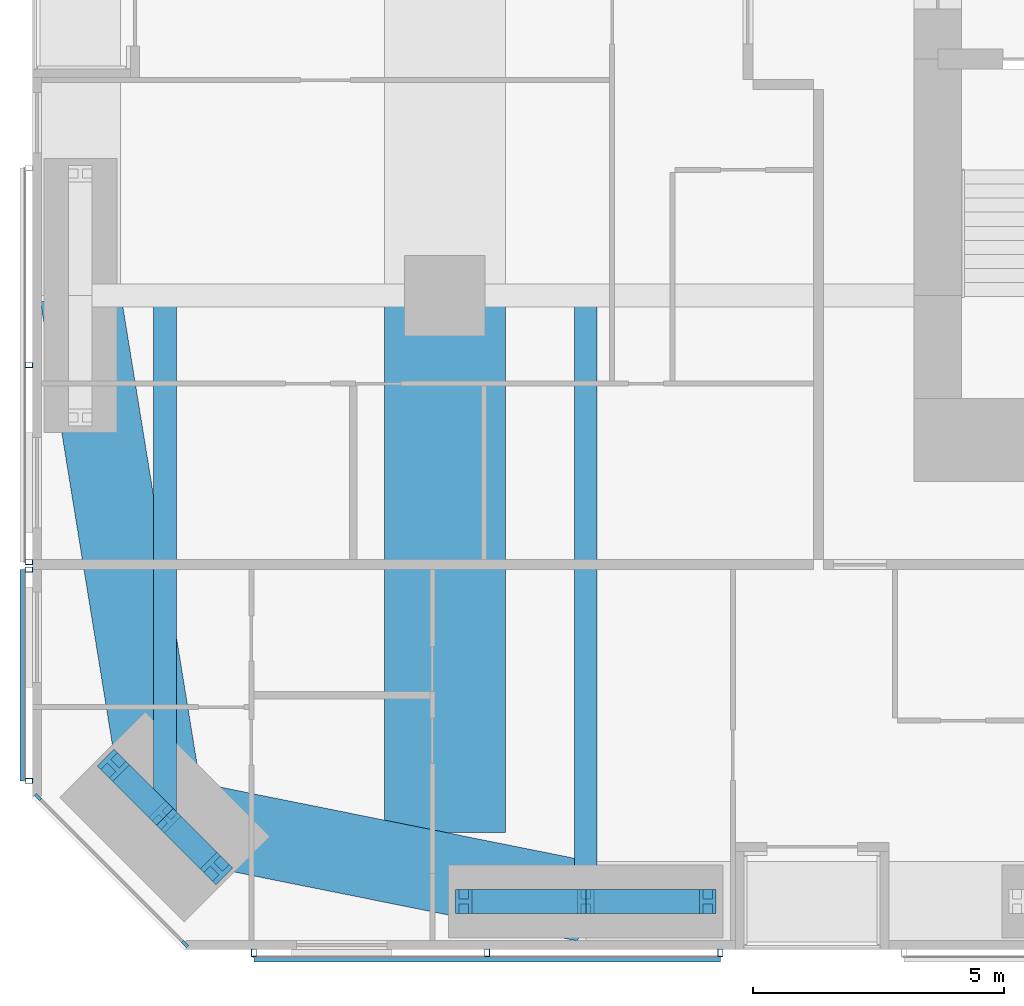
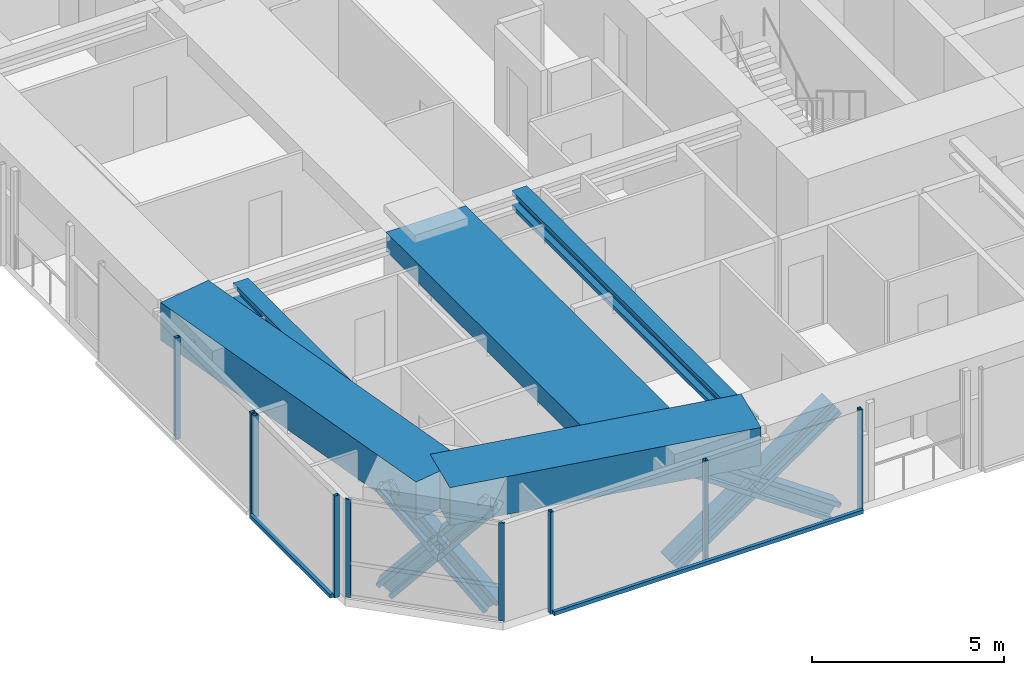
# One storey, part 2 of 23: 19 members, 5 beams, 4 elements without a shape of their own.
"""IFC4 building model written with IfcOpenShell, lengths in metres."""

from ifc_helpers import new_model, si_unit, direction, frame, origin, origin_2d, place, context, subcontext, project, spatial, rectangle, hollow_rectangle, i_section, extrude, material, material_profile, profile_set, type_object, element, aggregate, save


model = new_model("IFC4")

# Units and contexts
model_context = context("Model", 3, precision=1e-05, world=origin(), true_north=direction((0.0, 1.0)))
body_context = subcontext(model_context, "Body", "Model", "MODEL_VIEW")
ifc_project = project(units=[si_unit("LENGTHUNIT", "METRE"), si_unit("AREAUNIT", "SQUARE_METRE"), si_unit("VOLUMEUNIT", "CUBIC_METRE"), si_unit("PLANEANGLEUNIT", "RADIAN"), si_unit("MASSUNIT", "GRAM", prefix="KILO")], contexts=[model_context])

# Site, building, storey
site_placement = place(None, origin())
site = spatial("IfcSite", under=ifc_project, at=site_placement, CompositionType="ELEMENT")
building_placement = place(site_placement, origin())
building = spatial("IfcBuilding", under=site, at=building_placement, Name="Jalousie Tower", CompositionType="ELEMENT")
storey_placement = place(building_placement, frame((0.0, 0.0, 31.050048828125)))
storey = spatial("IfcBuildingStorey", under=building, at=storey_placement, Name="L07", CompositionType="ELEMENT", Elevation=31.050048828125)

# Curtain wall, members
ifc_material_1 = material(Name="Aluminium curtain wall", Category="aluminium")
curtain_wall_type_1 = type_object("IfcCurtainWallType", Name="CORNER WINDOW WALL", PredefinedType="USERDEFINED", material=ifc_material_1)
curtain_wall_1_placement = place(storey_placement, origin())
curtain_wall_1 = element("IfcCurtainWall", 1, at=curtain_wall_1_placement, inside=storey, type_object=curtain_wall_type_1, Name="Corner Window Wall L07 8", ObjectType="CORNER WINDOW WALL", PredefinedType="USERDEFINED")
ifc_material_2 = material(Name="Aluminium mullion", Category="aluminium")
ifc_material_profile_1 = material_profile(ifc_material_2, rectangle(XDim=0.06005859375, YDim=0.14990234375, at=origin_2d()), Name="MULLION 60x150")
ifc_profile_set_1 = profile_set([ifc_material_profile_1], Name="Aluminium mullion")
member_type_1 = type_object("IfcMemberType", Name="CORNER WINDOW WALL MULLION", PredefinedType="MULLION", material=ifc_profile_set_1)
member_1_placement = place(storey_placement, frame((2.108642578125, 3.030029296875, 0.0), z_axis=(0.0, 0.0, 1.0), x_axis=(0.707106781187, 0.707106781187, 0.0)))
member_1 = element("IfcMember", 2, at=member_1_placement, type_object=member_type_1, Name="CW-C mullion 1", PredefinedType="MULLION", context=body_context, shape_type="SweptSolid", body=[
    extrude(rectangle(XDim=0.06005859375, YDim=0.14990234375, at=origin_2d()), origin(), (0.0, 0.0, 1.0), 3.10986328125),
])
member_2_placement = place(storey_placement, frame((5.030029296875, 0.108642578125, 0.0), z_axis=(0.0, 0.0, 1.0), x_axis=(0.707106781187, 0.707106781187, 0.0)))
member_2 = element("IfcMember", 3, at=member_2_placement, type_object=member_type_1, Name="CW-C mullion 2", PredefinedType="MULLION", context=body_context, shape_type="SweptSolid", body=[
    extrude(rectangle(XDim=0.06005859375, YDim=0.14990234375, at=origin_2d()), origin(), (0.0, 0.0, 1.0), 3.10986328125),
])
aggregate(curtain_wall_1, [member_1, member_2])

# Beams
ifc_material_3 = material(Name="Steel ASTM A992 Grade 50", Category="steel")
ifc_material_profile_2 = material_profile(ifc_material_3, i_section(OverallWidth=0.45458984375, OverallDepth=0.569091796875, WebThickness=0.077880859375, FlangeThickness=0.124755859375, at=origin_2d()), Name="W14X730")
ifc_profile_set_2 = profile_set([ifc_material_profile_2], Name="Steel ASTM A992 Grade 50")
beam_type_1 = type_object("IfcBeamType", Name="LEAN COLLECTOR W14X730", PredefinedType="BEAM", material=ifc_profile_set_2)
beam_1_placement = place(storey_placement, frame((4.63134765625, 2.63134765625, 2.825439453125), z_axis=(0.0, 1.0, 0.0), x_axis=(-1.0, 0.0, 0.0)))
element("IfcBeam", 4, at=beam_1_placement, inside=storey, type_object=beam_type_1, Name="Lean collector under L08", PredefinedType="BEAM", context=body_context, shape_type="SweptSolid", body=[
    extrude(i_section(OverallWidth=0.45458984375, OverallDepth=0.569091796875, WebThickness=0.077880859375, FlangeThickness=0.124755859375, at=origin_2d()), origin(), (0.0, 0.0, 1.0), 10.36865234375),
])
beam_2_placement = place(storey_placement, frame((13.0, 0.949951171875, 2.825439453125), z_axis=(0.0, 1.0, 0.0), x_axis=(-1.0, 0.0, 0.0)))
element("IfcBeam", 5, at=beam_2_placement, inside=storey, type_object=beam_type_1, Name="Lean collector under L08", PredefinedType="BEAM", context=body_context, shape_type="SweptSolid", body=[
    extrude(i_section(OverallWidth=0.45458984375, OverallDepth=0.569091796875, WebThickness=0.077880859375, FlangeThickness=0.124755859375, at=origin_2d()), origin(), (0.0, 0.0, 1.0), 12.050048828125),
])

# Members
ifc_material_4 = material(Name="Steel ASTM A992 Grade 50", Category="steel")
ifc_material_profile_3 = material_profile(ifc_material_4, i_section(OverallWidth=0.472412109375, OverallDepth=0.5791015625, WebThickness=0.094970703125, FlangeThickness=0.1298828125, at=origin_2d()), Name="W14X808")
ifc_profile_set_3 = profile_set([ifc_material_profile_3], Name="Steel ASTM A992 Grade 50")
member_type_2 = type_object("IfcMemberType", Name="PERIMETER BRACE W14X808", PredefinedType="BRACE", material=ifc_profile_set_3)
for number, where, z_axis, x_axis, name in (
    (6, (3.606201171875, 3.65673828125, -0.60009765625), (0.462729793854, -0.462839993852, 0.756082189957), (0.707190965575, 0.707022586774, 0.0), "Perimeter brace 01 L07 part 1"),
    (7, (4.63134765625, 2.63134765625, 1.074951171875), (0.462839993852, -0.462729793854, 0.756082189957), (0.707022586774, 0.707190965575, 0.0), "Perimeter brace 01 L07 part 2"),
    (8, (5.65673828125, 1.606201171875, -0.60009765625), (-0.462839993852, 0.462729793854, 0.756082189957), (-0.707022586774, -0.707190965575, 0.0), "Perimeter brace 01 L07 part 3"),
    (9, (4.63134765625, 2.63134765625, 1.074951171875), (-0.462729793854, 0.462839993852, 0.756082189957), (-0.707190965575, -0.707022586774, 0.0), "Perimeter brace 01 L07 part 4"),
):
    element("IfcMember", number, at=place(storey_placement, frame(where, z_axis=z_axis, x_axis=x_axis)), inside=storey, type_object=member_type_2, Name=name, PredefinedType="BRACE", context=body_context, shape_type="SweptSolid", body=[
        extrude(i_section(OverallWidth=0.472412109375, OverallDepth=0.5791015625, WebThickness=0.094970703125, FlangeThickness=0.1298828125, at=origin_2d()), origin(), (0.0, 0.0, 1.0), 2.21533203125),
    ])
for number, where, z_axis, x_axis, name in (
    (10, (10.574951171875, 0.949951171875, -0.60009765625), (0.822800062329, 0.0, 0.568330940062), (0.0, 1.0, 0.0), "Perimeter brace 02 L07 part 1"),
    (11, (13.0, 0.949951171875, 1.074951171875), (0.822800062329, 0.0, 0.568330940062), (0.0, 1.0, 0.0), "Perimeter brace 02 L07 part 2"),
    (12, (15.425048828125, 0.949951171875, -0.60009765625), (-0.822800062329, 0.0, 0.568330940062), (0.0, -1.0, 0.0), "Perimeter brace 02 L07 part 3"),
    (13, (13.0, 0.949951171875, 1.074951171875), (-0.822800062329, 0.0, 0.568330940062), (0.0, -1.0, 0.0), "Perimeter brace 02 L07 part 4"),
):
    element("IfcMember", number, at=place(storey_placement, frame(where, z_axis=z_axis, x_axis=x_axis)), inside=storey, type_object=member_type_2, Name=name, PredefinedType="BRACE", context=body_context, shape_type="SweptSolid", body=[
        extrude(i_section(OverallWidth=0.472412109375, OverallDepth=0.5791015625, WebThickness=0.094970703125, FlangeThickness=0.1298828125, at=origin_2d()), origin(), (0.0, 0.0, 1.0), 2.947265625),
    ])

# Beams
ifc_material_5 = material(Name="Concrete f'c 40 MPa", Category="concrete")
ifc_material_profile_4 = material_profile(ifc_material_5, rectangle(XDim=1.60009765625, YDim=1.199951171875, at=origin_2d()), Name="RC 1600x1200")
ifc_profile_set_4 = profile_set([ifc_material_profile_4], Name="Concrete f'c 40 MPa")
beam_type_2 = type_object("IfcBeamType", Name="RC BEAM 1600x1200", PredefinedType="BEAM", material=ifc_profile_set_4)
beam_3_placement = place(storey_placement, frame((4.63134765625, 2.63134765625, 2.75), z_axis=(0.980407585444, -0.196979609107, 0.0), x_axis=(0.196979609107, 0.980407585444, 0.0)))
element("IfcBeam", 14, at=beam_3_placement, inside=storey, type_object=beam_type_2, Name="Edge band beam 01-02 under L08", PredefinedType="BEAM", context=body_context, shape_type="SweptSolid", body=[
    extrude(rectangle(XDim=1.60009765625, YDim=1.199951171875, at=origin_2d()), origin(), (0.0, 0.0, 1.0), 8.535888671875),
])
beam_4_placement = place(storey_placement, frame((2.949951171875, 13.0, 2.75), z_axis=(0.160070546476, -0.987105577003, 0.0), x_axis=(0.987105577003, 0.160070546476, 0.0)))
element("IfcBeam", 15, at=beam_4_placement, inside=storey, type_object=beam_type_2, Name="Edge band beam 14-01 under L08", PredefinedType="BEAM", context=body_context, shape_type="SweptSolid", body=[
    extrude(rectangle(XDim=1.60009765625, YDim=1.199951171875, at=origin_2d()), origin(), (0.0, 0.0, 1.0), 10.504150390625),
])
ifc_material_6 = material(Name="Concrete f'c 40 MPa", Category="concrete")
ifc_material_profile_5 = material_profile(ifc_material_6, rectangle(XDim=2.39990234375, YDim=0.60009765625, at=origin_2d()), Name="RC 2400x600")
ifc_profile_set_5 = profile_set([ifc_material_profile_5], Name="Concrete f'c 40 MPa")
beam_type_3 = type_object("IfcBeamType", Name="RC BEAM 2400x600", PredefinedType="BEAM", material=ifc_profile_set_5)
beam_5_placement = place(storey_placement, frame((10.199951171875, 13.0, 2.81005859375), z_axis=(0.0, -1.0, 0.0), x_axis=(1.0, 0.0, 0.0)))
element("IfcBeam", 16, at=beam_5_placement, inside=storey, type_object=beam_type_3, Name="Floor band beam under L08", PredefinedType="BEAM", context=body_context, shape_type="SweptSolid", body=[
    extrude(rectangle(XDim=2.39990234375, YDim=0.60009765625, at=origin_2d()), origin(), (0.0, 0.0, 1.0), 10.67138671875),
])

# Curtain wall, members
ifc_material_7 = material(Name="Perforated aluminium sheet", Category="aluminium")
curtain_wall_type_2 = type_object("IfcCurtainWallType", Name="SOLAR SCREEN SS-1", PredefinedType="USERDEFINED", material=ifc_material_7)
curtain_wall_2_placement = place(storey_placement, origin())
curtain_wall_2 = element("IfcCurtainWall", 17, at=curtain_wall_2_placement, inside=storey, type_object=curtain_wall_type_2, Name="Solar screen L07", ObjectType="SOLAR SCREEN SS-1", PredefinedType="USERDEFINED")
ifc_material_8 = material(Name="Steel ASTM A500 Grade C", Category="steel")
ifc_material_profile_6 = material_profile(ifc_material_8, hollow_rectangle(XDim=0.1015625, YDim=0.15234375, WallThickness=0.00634765625, at=origin_2d()), Name="HSS6X4X1/4")
ifc_profile_set_6 = profile_set([ifc_material_profile_6], Name="Steel ASTM A500 Grade C")
member_type_3 = type_object("IfcMemberType", Name="SOLAR SCREEN SS-1 MULLION", PredefinedType="MULLION", material=ifc_profile_set_6)
member_3_placement = place(storey_placement, frame((6.39990234375, -0.0712890625, -0.1201171875), z_axis=(0.0, 0.0, 1.0), x_axis=(1.0, 0.0, 0.0)))
member_3 = element("IfcMember", 18, at=member_3_placement, type_object=member_type_3, Name="SS1 post 1", PredefinedType="MULLION", context=body_context, shape_type="SweptSolid", body=[
    extrude(hollow_rectangle(XDim=0.1015625, YDim=0.15234375, WallThickness=0.00634765625, at=origin_2d()), origin(), (0.0, 0.0, 1.0), 3.22998046875),
])
member_4_placement = place(storey_placement, frame((11.03759765625, -0.0712890625, -0.1201171875), z_axis=(0.0, 0.0, 1.0), x_axis=(1.0, 0.0, 0.0)))
member_4 = element("IfcMember", 19, at=member_4_placement, type_object=member_type_3, Name="SS1 post 2", PredefinedType="MULLION", context=body_context, shape_type="SweptSolid", body=[
    extrude(hollow_rectangle(XDim=0.1015625, YDim=0.15234375, WallThickness=0.00634765625, at=origin_2d()), origin(), (0.0, 0.0, 1.0), 3.22998046875),
])
member_5_placement = place(storey_placement, frame((15.675048828125, -0.0712890625, -0.1201171875), z_axis=(0.0, 0.0, 1.0), x_axis=(1.0, 0.0, 0.0)))
member_5 = element("IfcMember", 20, at=member_5_placement, type_object=member_type_3, Name="SS1 post 3", PredefinedType="MULLION", context=body_context, shape_type="SweptSolid", body=[
    extrude(hollow_rectangle(XDim=0.1015625, YDim=0.15234375, WallThickness=0.00634765625, at=origin_2d()), origin(), (0.0, 0.0, 1.0), 3.22998046875),
])

curtain_wall_3_placement = place(storey_placement, origin())
curtain_wall_3 = element("IfcCurtainWall", 21, at=curtain_wall_3_placement, inside=storey, type_object=curtain_wall_type_2, Name="Solar screen L07", ObjectType="SOLAR SCREEN SS-1", PredefinedType="USERDEFINED")
member_6_placement = place(storey_placement, frame((1.9287109375, 11.61669921875, -0.1201171875), z_axis=(0.0, 0.0, 1.0), x_axis=(0.0, -1.0, 0.0)))
member_6 = element("IfcMember", 22, at=member_6_placement, type_object=member_type_3, Name="SS1 post 2", PredefinedType="MULLION", context=body_context, shape_type="SweptSolid", body=[
    extrude(hollow_rectangle(XDim=0.1015625, YDim=0.15234375, WallThickness=0.00634765625, at=origin_2d()), origin(), (0.0, 0.0, 1.0), 3.22998046875),
])
member_7_placement = place(storey_placement, frame((1.9287109375, 7.699951171875, -0.1201171875), z_axis=(0.0, 0.0, 1.0), x_axis=(0.0, -1.0, 0.0)))
member_7 = element("IfcMember", 23, at=member_7_placement, type_object=member_type_3, Name="SS1 post 3", PredefinedType="MULLION", context=body_context, shape_type="SweptSolid", body=[
    extrude(hollow_rectangle(XDim=0.1015625, YDim=0.15234375, WallThickness=0.00634765625, at=origin_2d()), origin(), (0.0, 0.0, 1.0), 3.22998046875),
])
aggregate(curtain_wall_3, [member_6, member_7])

curtain_wall_4_placement = place(storey_placement, origin())
curtain_wall_4 = element("IfcCurtainWall", 24, at=curtain_wall_4_placement, inside=storey, type_object=curtain_wall_type_2, Name="Solar screen L07", ObjectType="SOLAR SCREEN SS-1", PredefinedType="USERDEFINED")
member_8_placement = place(storey_placement, frame((1.9287109375, 7.550048828125, -0.1201171875), z_axis=(0.0, 0.0, 1.0), x_axis=(0.0, -1.0, 0.0)))
member_8 = element("IfcMember", 25, at=member_8_placement, type_object=member_type_3, Name="SS1 post 1", PredefinedType="MULLION", context=body_context, shape_type="SweptSolid", body=[
    extrude(hollow_rectangle(XDim=0.1015625, YDim=0.15234375, WallThickness=0.00634765625, at=origin_2d()), origin(), (0.0, 0.0, 1.0), 3.22998046875),
])
member_9_placement = place(storey_placement, frame((1.9287109375, 3.351318359375, -0.1201171875), z_axis=(0.0, 0.0, 1.0), x_axis=(0.0, -1.0, 0.0)))
member_9 = element("IfcMember", 26, at=member_9_placement, type_object=member_type_3, Name="SS1 post 2", PredefinedType="MULLION", context=body_context, shape_type="SweptSolid", body=[
    extrude(hollow_rectangle(XDim=0.1015625, YDim=0.15234375, WallThickness=0.00634765625, at=origin_2d()), origin(), (0.0, 0.0, 1.0), 3.22998046875),
])

# Member
ifc_material_9 = material(Name="Extruded aluminium screen rail", Category="aluminium")
ifc_material_profile_7 = material_profile(ifc_material_9, rectangle(XDim=0.1015625, YDim=0.1201171875, at=origin_2d()), Name="RAIL 102x120")
ifc_profile_set_7 = profile_set([ifc_material_profile_7], Name="Extruded aluminium screen rail")
member_type_4 = type_object("IfcMemberType", Name="SOLAR SCREEN SS-1 TRANSOM", PredefinedType="USERDEFINED", material=ifc_profile_set_7)
member_10_placement = place(storey_placement, frame((6.39990234375, -0.1982421875, -0.06005859375), z_axis=(1.0, 0.0, 0.0), x_axis=(0.0, 1.0, 0.0)))
member_10 = element("IfcMember", 27, at=member_10_placement, type_object=member_type_4, Name="SS1 rail", ObjectType="TRANSOM", PredefinedType="USERDEFINED", context=body_context, shape_type="SweptSolid", body=[
    extrude(rectangle(XDim=0.1015625, YDim=0.1201171875, at=origin_2d()), origin(), (0.0, 0.0, 1.0), 9.275146484375),
])

aggregate(curtain_wall_2, [member_3, member_4, member_5, member_10])

member_11_placement = place(storey_placement, frame((1.8017578125, 7.550048828125, -0.06005859375), z_axis=(0.0, -1.0, 0.0), x_axis=(1.0, 0.0, 0.0)))
member_11 = element("IfcMember", 28, at=member_11_placement, type_object=member_type_4, Name="SS1 rail", ObjectType="TRANSOM", PredefinedType="USERDEFINED", context=body_context, shape_type="SweptSolid", body=[
    extrude(rectangle(XDim=0.1015625, YDim=0.1201171875, at=origin_2d()), origin(), (0.0, 0.0, 1.0), 4.19873046875),
])

aggregate(curtain_wall_4, [member_8, member_9, member_11])

save(model, "model.ifc")
